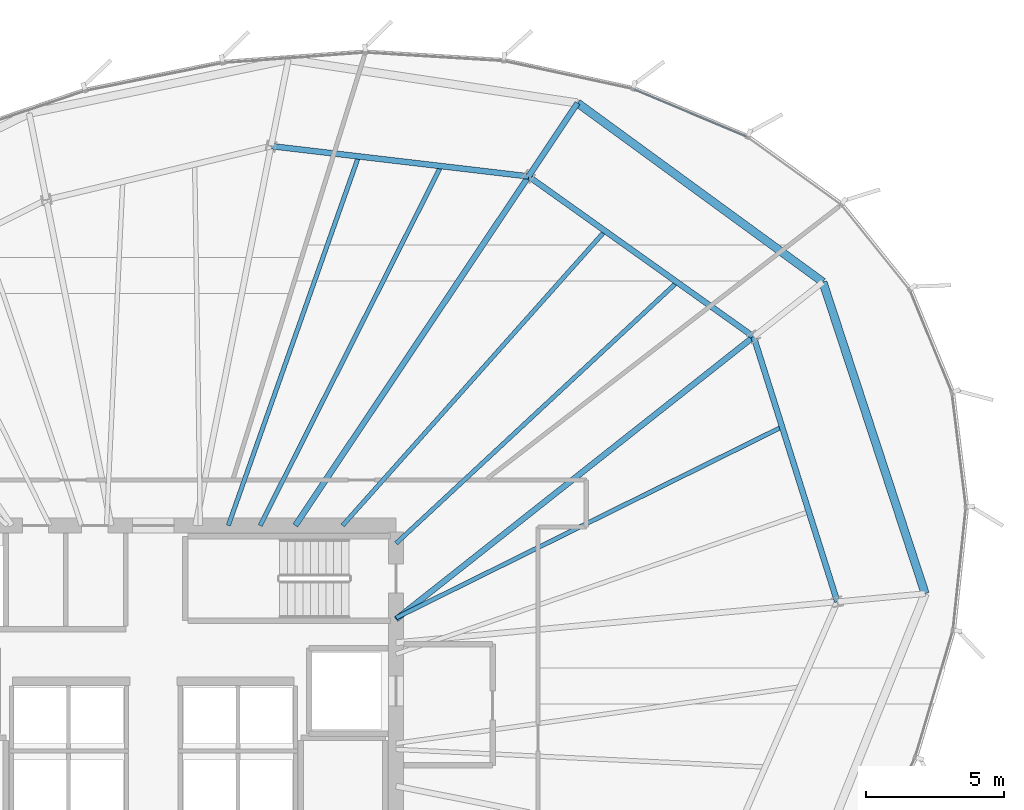
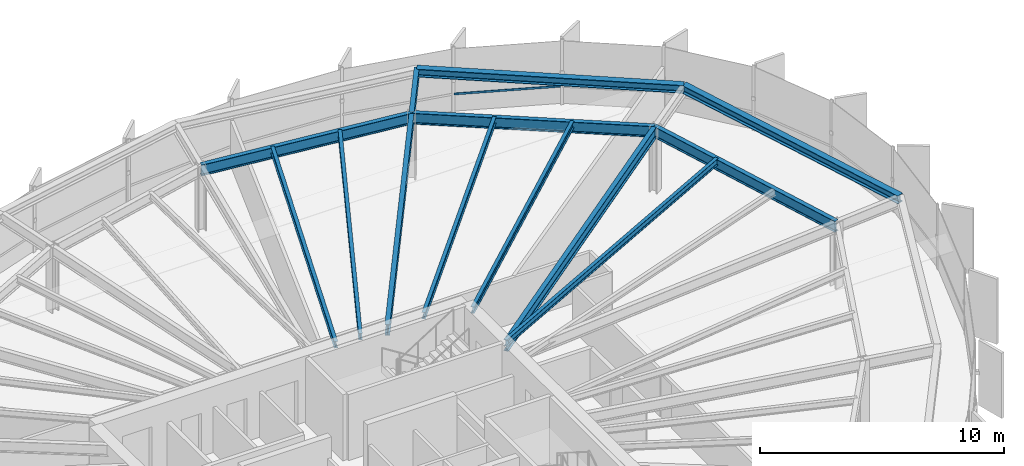
# One storey, part 22 of 32: 13 beams, 1 member, 1 element without a shape of its own.
"""IFC4 building model written with IfcOpenShell, lengths in metres."""

import ifcopenshell
import ifcopenshell.guid

model = None  # the IFC model being written
_history = None  # IfcOwnerHistory: only IFC2X3 demands one
_inside = {}  # id of a spatial element -> (the spatial element, [elements in it])
_under = {}  # id of a project, library or spatial element -> (it, [spatial elements below it])
_declared = {}  # id of a project -> (the project, [libraries it declares])
_typed = {}  # id of a type object -> (the type object, [elements of that type])
_made_of = {}  # id of a material, layer set ... -> (it, [elements and type objects made of it])


def new_model(schema):
    """Start an empty IFC model of exactly this schema.

    Asked for "IFC4X3", IfcOpenShell would pick the latest addendum, in which some entities
    have other attributes; the version numbers below select the first issue.
    IFC2X3 requires an IfcOwnerHistory on every rooted entity: one is made here for all.
    """
    global model, _history
    if schema == "IFC4X3":
        model = ifcopenshell.file(schema_version=(4, 3, 0, 0))
    else:
        model = ifcopenshell.file(schema=schema)
    _inside.clear()
    _under.clear()
    _declared.clear()
    _typed.clear()
    _made_of.clear()
    _history = None
    if model.schema == "IFC2X3":
        org = make("IfcOrganization", Name="unknown")
        user = make(
            "IfcPersonAndOrganization",
            ThePerson=make("IfcPerson", FamilyName="unknown"),
            TheOrganization=org,
        )
        app = make(
            "IfcApplication",
            ApplicationDeveloper=org,
            Version="unknown",
            ApplicationFullName="unknown",
            ApplicationIdentifier="unknown",
        )
        _history = make(
            "IfcOwnerHistory",
            OwningUser=user,
            OwningApplication=app,
            ChangeAction="ADDED",
            CreationDate=0,
        )
    return model


def make(cls, **values):
    """One entity of the class cls with the attributes given. An attribute that is None is left unset."""
    return model.create_entity(
        cls, **{name: value for name, value in values.items() if value is not None}
    )


def rooted(cls, **values):
    """An entity with a GlobalId (a new one), such as an element, a storey or a relation."""
    return make(cls, GlobalId=ifcopenshell.guid.new(), OwnerHistory=_history, **values)


def si_unit(unit_type, name, prefix=None):
    """IfcSIUnit, for example si_unit("LENGTHUNIT", "METRE", prefix="MILLI")."""
    return make("IfcSIUnit", UnitType=unit_type, Prefix=prefix, Name=name)


def assignment(units):
    """IfcUnitAssignment: the units of a project."""
    return None if units is None else make("IfcUnitAssignment", Units=units)


def point(xyz):
    """IfcCartesianPoint."""
    return None if xyz is None else make("IfcCartesianPoint", Coordinates=xyz)


def direction(xyz):
    """IfcDirection."""
    return None if xyz is None else make("IfcDirection", DirectionRatios=xyz)


def frame(location, z_axis=None, x_axis=None):
    """IfcAxis2Placement3D, a coordinate frame: its origin and axes. An axis left out is left unset."""
    return make(
        "IfcAxis2Placement3D",
        Location=point(location),
        Axis=direction(z_axis),
        RefDirection=direction(x_axis),
    )


def frame_2d(location, x_axis=None):
    """IfcAxis2Placement2D, a coordinate frame in the plane: its origin and x axis."""
    return make(
        "IfcAxis2Placement2D", Location=point(location), RefDirection=direction(x_axis)
    )


def origin():
    """The frame at (0, 0, 0) with its axes left unset."""
    return frame((0.0, 0.0, 0.0))


def origin_2d():
    """The frame at (0, 0) in the plane with its x axis left unset."""
    return frame_2d((0.0, 0.0))


def place(relative_to, where):
    """IfcLocalPlacement: puts the frame where relative to a parent placement (None: the world)."""
    return make(
        "IfcLocalPlacement", PlacementRelTo=relative_to, RelativePlacement=where
    )


def context(
    kind, dimensions, precision=None, world=None, true_north=None, identifier=None
):
    """IfcGeometricRepresentationContext, for example the 3D "Model" context."""
    return make(
        "IfcGeometricRepresentationContext",
        ContextIdentifier=identifier,
        ContextType=kind,
        CoordinateSpaceDimension=dimensions,
        Precision=precision,
        WorldCoordinateSystem=world,
        TrueNorth=true_north,
    )


def subcontext(parent, identifier, kind, view, scale=None):
    """IfcGeometricRepresentationSubContext, for example "Body" below "Model"."""
    return make(
        "IfcGeometricRepresentationSubContext",
        ContextIdentifier=identifier,
        ContextType=kind,
        ParentContext=parent,
        TargetScale=scale,
        TargetView=view,
    )


def project(units=None, contexts=None):
    """IfcProject with its units and contexts."""
    return rooted(
        "IfcProject",
        Name="project",
        RepresentationContexts=contexts,
        UnitsInContext=assignment(units),
    )


def spatial(cls, under=None, at=None, **own):
    """A site, building, storey or space (cls), placed at a placement, below another one or the project."""
    s = rooted(cls, ObjectPlacement=at, **own)
    if under is not None:
        _under.setdefault(under.id(), (under, []))[1].append(s)
    return s


def profile(cls, at=None, kind="AREA", **sizes):
    """A parametric profile (cls). Its sizes go by their IFC names, for example OverallWidth=200.0."""
    return make(cls, ProfileType=kind, Position=at, **sizes)


def hollow_rectangle(**sizes):
    """IfcRectangleHollowProfileDef."""
    return profile("IfcRectangleHollowProfileDef", **sizes)


def i_section(**sizes):
    """IfcIShapeProfileDef."""
    return profile("IfcIShapeProfileDef", **sizes)


def extrude(swept, where, along, depth):
    """IfcExtrudedAreaSolid: the profile swept, set in the frame where, extruded along a direction by depth."""
    return make(
        "IfcExtrudedAreaSolid",
        SweptArea=swept,
        Position=where,
        ExtrudedDirection=direction(along),
        Depth=depth,
    )


def shape(context_of_items, identifier, shape_type, items):
    """IfcShapeRepresentation: the items that make up one representation, for example the "Body"."""
    return make(
        "IfcShapeRepresentation",
        ContextOfItems=context_of_items,
        RepresentationIdentifier=identifier,
        RepresentationType=shape_type,
        Items=items,
    )


def source(mapping_origin, context_of_items, identifier, shape_type, items):
    """IfcRepresentationMap: a shape defined once, which mapped items show again and again."""
    return make(
        "IfcRepresentationMap",
        MappingOrigin=mapping_origin,
        MappedRepresentation=shape(context_of_items, identifier, shape_type, items),
    )


def transform(
    local_origin,
    x_axis=None,
    y_axis=None,
    z_axis=None,
    scale=None,
    scale2=None,
    scale3=None,
    uniform=True,
):
    """IfcCartesianTransformationOperator3D, or its non-uniform kind. x_axis, y_axis, z_axis: its Axis1, 2, 3."""
    if uniform:
        return make(
            "IfcCartesianTransformationOperator3D",
            Axis1=direction(x_axis),
            Axis2=direction(y_axis),
            LocalOrigin=point(local_origin),
            Scale=scale,
            Axis3=direction(z_axis),
        )
    return make(
        "IfcCartesianTransformationOperator3DnonUniform",
        Axis1=direction(x_axis),
        Axis2=direction(y_axis),
        LocalOrigin=point(local_origin),
        Scale=scale,
        Axis3=direction(z_axis),
        Scale2=scale2,
        Scale3=scale3,
    )


def mapped(mapping_source, mapping_target):
    """IfcMappedItem: shows the shape of a source again, moved by a transform."""
    return make(
        "IfcMappedItem", MappingSource=mapping_source, MappingTarget=mapping_target
    )


def material(Name=None, Category=None):
    """IfcMaterial."""
    return make("IfcMaterial", Name=Name, Category=Category)


def layer(
    of_material, thickness, ventilated=None, Name=None, Category=None, Priority=None
):
    """IfcMaterialLayer: one layer of a wall or slab, of a material (None: an air gap)."""
    return make(
        "IfcMaterialLayer",
        Material=of_material,
        LayerThickness=thickness,
        IsVentilated=ventilated,
        Name=Name,
        Category=Category,
        Priority=Priority,
    )


def layer_set(layers, Name=None):
    """IfcMaterialLayerSet."""
    return make("IfcMaterialLayerSet", MaterialLayers=layers, LayerSetName=Name)


def material_profile(
    of_material, cross_section, Name=None, Category=None, Priority=None
):
    """IfcMaterialProfile: a cross section and its material."""
    return make(
        "IfcMaterialProfile",
        Name=Name,
        Material=of_material,
        Profile=cross_section,
        Priority=Priority,
        Category=Category,
    )


def profile_set(profiles, Name=None, composite=None):
    """IfcMaterialProfileSet."""
    return make(
        "IfcMaterialProfileSet",
        Name=Name,
        MaterialProfiles=profiles,
        CompositeProfile=composite,
    )


def made_of(thing, what):
    """Note that an element or type object is made of a material, layer set ...; save() writes the relation."""
    if what is not None:
        _made_of.setdefault(what.id(), (what, []))[1].append(thing)
    return thing


def type_object(cls, material=None, **own):
    """A type object (cls), such as IfcWallType, which elements share."""
    return made_of(rooted(cls, **own), material)


def element(
    cls,
    number,
    at=None,
    inside=None,
    cuts=None,
    type_object=None,
    material=None,
    context=None,
    identifier="Body",
    shape_type=None,
    held_by="IfcProductDefinitionShape",
    body=None,
    shapes=None,
    **own,
):
    """One element of the class cls, such as IfcWall. Its Tag is "e" and its number.

    at: its placement. inside: the storey or other place that contains it. cuts: it is an
    opening in that element (IfcRelVoidsElement). A single representation is given by context,
    identifier, shape_type and body (its items); several are given by shapes. held_by: the class
    of the entity that holds the representations. save() writes the other relations.
    """
    e = rooted(cls, Tag="e%d" % number, ObjectPlacement=at, **own)
    if body is not None:
        shapes = [shape(context, identifier, shape_type, body)]
    if shapes is not None:
        e.Representation = make(held_by, Representations=shapes)
    if inside is not None:
        _inside.setdefault(inside.id(), (inside, []))[1].append(e)
    if cuts is not None:
        rooted(
            "IfcRelVoidsElement", RelatingBuildingElement=cuts, RelatedOpeningElement=e
        )
    if type_object is not None:
        _typed.setdefault(type_object.id(), (type_object, []))[1].append(e)
    return made_of(e, material)


def aggregate(whole, parts):
    """IfcRelAggregates: a whole, such as a stair, and the parts it consists of."""
    return rooted("IfcRelAggregates", RelatingObject=whole, RelatedObjects=parts)


def save(model, path):
    """Write the relations noted so far, then the file.

    IfcRelAggregates (storeys below a building ...), IfcRelContainedInSpatialStructure (elements
    in a storey), IfcRelDefinesByType, IfcRelAssociatesMaterial and IfcRelDeclares: one each for
    every whole, place, type object, material and project.
    """
    for whole, parts in _under.values():
        aggregate(whole, parts)
    for where, things in _inside.values():
        rooted(
            "IfcRelContainedInSpatialStructure",
            RelatedElements=things,
            RelatingStructure=where,
        )
    for kind, things in _typed.values():
        rooted("IfcRelDefinesByType", RelatedObjects=things, RelatingType=kind)
    for what, things in _made_of.values():
        rooted("IfcRelAssociatesMaterial", RelatedObjects=things, RelatingMaterial=what)
    for by, libraries in _declared.values():
        rooted("IfcRelDeclares", RelatingContext=by, RelatedDefinitions=libraries)
    model.write(path)


model = new_model("IFC4")

# Units and contexts
model_context = context("Model", 3, precision=1e-05, world=origin(), true_north=direction((0.0, 1.0)))
body_context = subcontext(model_context, "Body", "Model", "MODEL_VIEW")
ifc_project = project(units=[si_unit("LENGTHUNIT", "METRE"), si_unit("AREAUNIT", "SQUARE_METRE"), si_unit("VOLUMEUNIT", "CUBIC_METRE"), si_unit("PLANEANGLEUNIT", "RADIAN"), si_unit("MASSUNIT", "GRAM", prefix="KILO"), si_unit("THERMODYNAMICTEMPERATUREUNIT", "KELVIN")], contexts=[model_context])

# Site, building, storey
site_placement = place(None, origin())
site = spatial("IfcSite", under=ifc_project, at=site_placement, CompositionType="ELEMENT")
building_placement = place(site_placement, origin())
building = spatial("IfcBuilding", under=site, at=building_placement, Name="Kethvar Cultural Tower", CompositionType="ELEMENT")
storey_placement = place(building_placement, frame((0.0, 0.0, 157.199951171875)))
storey = spatial("IfcBuildingStorey", under=building, at=storey_placement, Name="L40", CompositionType="ELEMENT", Elevation=157.199951171875)

# Beams
ifc_material_1 = material(Name="Steel S355J2", Category="steel")
ifc_material_profile_1 = material_profile(ifc_material_1, i_section(OverallWidth=0.2099609375, OverallDepth=0.550048828125, WebThickness=0.010986328125, FlangeThickness=0.01708984375, FilletRadius=0.02392578125, at=origin_2d()), Name="Steel S355J2 — IPE550")
ifc_profile_set_1 = profile_set([ifc_material_profile_1], Name="Steel S355J2 — IPE550")
beam_type_1 = type_object("IfcBeamType", Name="BM-IPE550", PredefinedType="BEAM", material=ifc_profile_set_1)
shared_shape_1 = source(origin(), body_context, "Body", "SweptSolid", [
    extrude(i_section(OverallWidth=0.2099609375, OverallDepth=0.550048828125, WebThickness=0.010986328125, FlangeThickness=0.01708984375, FilletRadius=0.02392578125, at=origin_2d()), origin(), (0.0, 0.0, 1.0), 3.199951171875),
])
beam_1_placement = place(storey_placement, frame((60.40478515625, 48.160888671875, 3.02294921875), z_axis=(0.555580212716, 0.831462943996, 0.0), x_axis=(-0.831462943996, 0.555580212716, 0.0)))
element("IfcBeam", 1, at=beam_1_placement, inside=storey, type_object=beam_type_1, Name="L40 Perimeter Cantilever Beam RC-03", PredefinedType="BEAM", context=body_context, shape_type="MappedRepresentation", body=[
    mapped(shared_shape_1, transform((0.0, 0.0, 0.0), scale=1.0)),
])
shared_shape_2 = source(origin(), body_context, "Body", "SweptSolid", [
    extrude(i_section(OverallWidth=0.2099609375, OverallDepth=0.550048828125, WebThickness=0.010986328125, FlangeThickness=0.01708984375, FilletRadius=0.02392578125, at=origin_2d()), origin(), (0.0, 0.0, 1.0), 16.527099609375),
])
beam_2_placement = place(storey_placement, frame((55.60009765625, 32.10009765625, 3.02294921875), z_axis=(0.784681939021, 0.619898584105, 0.0), x_axis=(-0.619898584105, 0.784681939021, 0.0)))
element("IfcBeam", 2, at=beam_2_placement, inside=storey, type_object=beam_type_1, Name="L40 Primary Radial Beam RB-02", PredefinedType="BEAM", context=body_context, shape_type="MappedRepresentation", body=[
    mapped(shared_shape_2, transform((0.0, 0.0, 0.0), scale=1.0)),
])
shared_shape_3 = source(origin(), body_context, "Body", "SweptSolid", [
    extrude(i_section(OverallWidth=0.2099609375, OverallDepth=0.550048828125, WebThickness=0.010986328125, FlangeThickness=0.01708984375, FilletRadius=0.02392578125, at=origin_2d()), origin(), (0.0, 0.0, 1.0), 15.22705078125),
])
beam_3_placement = place(storey_placement, frame((51.945068359375, 35.5, 3.02294921875), z_axis=(0.555569390778, 0.83147017507, 0.0), x_axis=(-0.83147017507, 0.555569390778, 0.0)))
element("IfcBeam", 3, at=beam_3_placement, inside=storey, type_object=beam_type_1, Name="L40 Primary Radial Beam RB-03", PredefinedType="BEAM", context=body_context, shape_type="MappedRepresentation", body=[
    mapped(shared_shape_3, transform((0.0, 0.0, 0.0), scale=1.0)),
])
shared_shape_4 = source(origin(), body_context, "Body", "SweptSolid", [
    extrude(i_section(OverallWidth=0.2099609375, OverallDepth=0.550048828125, WebThickness=0.010986328125, FlangeThickness=0.01708984375, FilletRadius=0.02392578125, at=origin_2d()), origin(), (0.0, 0.0, 1.0), 10.079345703125),
])
beam_4_placement = place(storey_placement, frame((71.6025390625, 32.7333984375, 3.02294921875), z_axis=(-0.301007326566, 0.953621827222, 0.0), x_axis=(-0.953621827222, -0.301007326566, 0.0)))
element("IfcBeam", 4, at=beam_4_placement, inside=storey, type_object=beam_type_1, Name="L40 Column Ring Tie Beam CR-01", PredefinedType="BEAM", context=body_context, shape_type="MappedRepresentation", body=[
    mapped(shared_shape_4, transform((0.0, 0.0, 0.0), scale=1.0)),
])
ifc_material_profile_2 = material_profile(ifc_material_1, i_section(OverallWidth=0.300048828125, OverallDepth=0.39990234375, WebThickness=0.013427734375, FlangeThickness=0.02392578125, FilletRadius=0.027099609375, at=origin_2d()), Name="Steel S355J2 — HEB400")
ifc_profile_set_2 = profile_set([ifc_material_profile_2], Name="Steel S355J2 — HEB400")
beam_type_2 = type_object("IfcBeamType", Name="BM-SP400", PredefinedType="SPANDREL", material=ifc_profile_set_2)
shared_shape_5 = source(origin(), body_context, "Body", "SweptSolid", [
    extrude(i_section(OverallWidth=0.300048828125, OverallDepth=0.39990234375, WebThickness=0.013427734375, FlangeThickness=0.02392578125, FilletRadius=0.027099609375, at=origin_2d()), origin(), (0.0, 0.0, 1.0), 11.8935546875),
])
beam_5_placement = place(storey_placement, frame((74.788818359375, 33.02880859375, 3.09814453125), z_axis=(-0.311870604739, 0.95012458441, 0.0), x_axis=(-0.95012458441, -0.311870604739, 0.0)))
element("IfcBeam", 5, at=beam_5_placement, inside=storey, type_object=beam_type_2, Name="L40 Perimeter Spandrel Beam SP-01", PredefinedType="SPANDREL", context=body_context, shape_type="MappedRepresentation", body=[
    mapped(shared_shape_5, transform((0.0, 0.0, 0.0), scale=1.0)),
])
ifc_material_profile_3 = material_profile(ifc_material_1, i_section(OverallWidth=0.159912109375, OverallDepth=0.330078125, WebThickness=0.007568359375, FlangeThickness=0.011474609375, FilletRadius=0.01806640625, at=origin_2d()), Name="Steel S355J2 — IPE330")
ifc_profile_set_3 = profile_set([ifc_material_profile_3], Name="Steel S355J2 — IPE330")
beam_type_3 = type_object("IfcBeamType", Name="BM-J330", PredefinedType="JOIST", material=ifc_profile_set_3)
shared_shape_6 = source(origin(), body_context, "Body", "SweptSolid", [
    extrude(i_section(OverallWidth=0.159912109375, OverallDepth=0.330078125, WebThickness=0.007568359375, FlangeThickness=0.011474609375, FilletRadius=0.01806640625, at=origin_2d()), origin(), (0.0, 0.0, 1.0), 15.618896484375),
])
beam_6_placement = place(storey_placement, frame((55.60009765625, 32.152587890625, 3.133056640625), z_axis=(0.896344638992, 0.443357968408, 0.0), x_axis=(-0.443357968408, 0.896344638992, 0.0)))
element("IfcBeam", 6, at=beam_6_placement, inside=storey, type_object=beam_type_3, Name="L40 Composite Floor Joist J-01B", PredefinedType="JOIST", context=body_context, shape_type="MappedRepresentation", body=[
    mapped(shared_shape_6, transform((0.0, 0.0, 0.0), scale=1.0)),
])
shared_shape_7 = source(origin(), body_context, "Body", "SweptSolid", [
    extrude(i_section(OverallWidth=0.2099609375, OverallDepth=0.550048828125, WebThickness=0.010986328125, FlangeThickness=0.01708984375, FilletRadius=0.02392578125, at=origin_2d()), origin(), (0.0, 0.0, 1.0), 10.0234375),
])
beam_7_placement = place(storey_placement, frame((68.568603515625, 42.34521484375, 3.02294921875), z_axis=(-0.814470106239, 0.580205520521, 0.0), x_axis=(-0.580205520521, -0.814470106239, 0.0)))
element("IfcBeam", 7, at=beam_7_placement, inside=storey, type_object=beam_type_1, Name="L40 Column Ring Tie Beam CR-02", PredefinedType="BEAM", context=body_context, shape_type="MappedRepresentation", body=[
    mapped(shared_shape_7, transform((0.0, 0.0, 0.0), scale=1.0)),
])
shared_shape_8 = source(origin(), body_context, "Body", "SweptSolid", [
    extrude(i_section(OverallWidth=0.159912109375, OverallDepth=0.330078125, WebThickness=0.007568359375, FlangeThickness=0.011474609375, FilletRadius=0.01806640625, at=origin_2d()), origin(), (0.0, 0.0, 1.0), 13.91455078125),
])
beam_8_placement = place(storey_placement, frame((55.60009765625, 34.85009765625, 3.133056640625), z_axis=(0.732512843328, 0.680753211054, 0.0), x_axis=(-0.680753211054, 0.732512843328, 0.0)))
element("IfcBeam", 8, at=beam_8_placement, inside=storey, type_object=beam_type_3, Name="L40 Composite Floor Joist J-02A", PredefinedType="JOIST", context=body_context, shape_type="MappedRepresentation", body=[
    mapped(shared_shape_8, transform((0.0, 0.0, 0.0), scale=1.0)),
])
shared_shape_9 = source(origin(), body_context, "Body", "SweptSolid", [
    extrude(i_section(OverallWidth=0.159912109375, OverallDepth=0.330078125, WebThickness=0.007568359375, FlangeThickness=0.011474609375, FilletRadius=0.01806640625, at=origin_2d()), origin(), (0.0, 0.0, 1.0), 14.3095703125),
])
beam_9_placement = place(storey_placement, frame((53.660888671875, 35.5, 3.133056640625), z_axis=(0.665261381663, 0.746610537073, 0.0), x_axis=(-0.746610537073, 0.665261381663, 0.0)))
element("IfcBeam", 9, at=beam_9_placement, inside=storey, type_object=beam_type_3, Name="L40 Composite Floor Joist J-02B", PredefinedType="JOIST", context=body_context, shape_type="MappedRepresentation", body=[
    mapped(shared_shape_9, transform((0.0, 0.0, 0.0), scale=1.0)),
])
shared_shape_10 = source(origin(), body_context, "Body", "SweptSolid", [
    extrude(i_section(OverallWidth=0.2099609375, OverallDepth=0.550048828125, WebThickness=0.010986328125, FlangeThickness=0.01708984375, FilletRadius=0.02392578125, at=origin_2d()), origin(), (0.0, 0.0, 1.0), 9.400634765625),
])
beam_10_placement = place(storey_placement, frame((60.40478515625, 48.160888671875, 3.02294921875), z_axis=(-0.993150427046, 0.116842754407, 0.0), x_axis=(-0.116842754407, -0.993150427046, 0.0)))
element("IfcBeam", 10, at=beam_10_placement, inside=storey, type_object=beam_type_1, Name="L40 Column Ring Tie Beam CR-03", PredefinedType="BEAM", context=body_context, shape_type="MappedRepresentation", body=[
    mapped(shared_shape_10, transform((0.0, 0.0, 0.0), scale=1.0)),
])
shared_shape_11 = source(origin(), body_context, "Body", "SweptSolid", [
    extrude(i_section(OverallWidth=0.159912109375, OverallDepth=0.330078125, WebThickness=0.007568359375, FlangeThickness=0.011474609375, FilletRadius=0.01806640625, at=origin_2d()), origin(), (0.0, 0.0, 1.0), 14.590576171875),
])
beam_11_placement = place(storey_placement, frame((50.673583984375, 35.5, 3.133056640625), z_axis=(0.449394228778, 0.893333547529, 0.0), x_axis=(-0.893333547529, 0.449394228778, 0.0)))
element("IfcBeam", 11, at=beam_11_placement, inside=storey, type_object=beam_type_3, Name="L40 Composite Floor Joist J-03A", PredefinedType="JOIST", context=body_context, shape_type="MappedRepresentation", body=[
    mapped(shared_shape_11, transform((0.0, 0.0, 0.0), scale=1.0)),
])
shared_shape_12 = source(origin(), body_context, "Body", "SweptSolid", [
    extrude(i_section(OverallWidth=0.159912109375, OverallDepth=0.330078125, WebThickness=0.007568359375, FlangeThickness=0.011474609375, FilletRadius=0.01806640625, at=origin_2d()), origin(), (0.0, 0.0, 1.0), 14.1953125),
])
beam_12_placement = place(storey_placement, frame((49.517822265625, 35.5, 3.133056640625), z_axis=(0.332865098769, 0.942974456717, 0.0), x_axis=(-0.942974456717, 0.332865098769, 0.0)))
element("IfcBeam", 12, at=beam_12_placement, inside=storey, type_object=beam_type_3, Name="L40 Composite Floor Joist J-03B", PredefinedType="JOIST", context=body_context, shape_type="MappedRepresentation", body=[
    mapped(shared_shape_12, transform((0.0, 0.0, 0.0), scale=1.0)),
])
shared_shape_13 = source(origin(), body_context, "Body", "SweptSolid", [
    extrude(i_section(OverallWidth=0.300048828125, OverallDepth=0.39990234375, WebThickness=0.013427734375, FlangeThickness=0.02392578125, FilletRadius=0.027099609375, at=origin_2d()), origin(), (0.0, 0.0, 1.0), 11.013916015625),
])
beam_13_placement = place(storey_placement, frame((71.07958984375, 44.3291015625, 3.09814453125), z_axis=(-0.807788950974, 0.589471806522, 0.0), x_axis=(-0.589471806522, -0.807788950974, 0.0)))
element("IfcBeam", 13, at=beam_13_placement, inside=storey, type_object=beam_type_2, Name="L40 Perimeter Spandrel Beam SP-02", PredefinedType="SPANDREL", context=body_context, shape_type="MappedRepresentation", body=[
    mapped(shared_shape_13, transform((0.0, 0.0, 0.0), scale=1.0)),
])

# Curtain wall, member
ifc_material_2 = material(Name="Aluminium 6063-T6", Category="aluminium")
ifc_layer = layer(ifc_material_2, 0.179931640625, Name="Aluminium 6063-T6", Category="aluminium")
ifc_layer_set = layer_set([ifc_layer], Name="Aluminium 6063-T6 (180 mm)")
curtain_wall_type = type_object("IfcCurtainWallType", Name="CW-SYS-04-Z34", PredefinedType="NOTDEFINED", material=ifc_layer_set)
curtain_wall_placement = place(storey_placement, origin())
curtain_wall = element("IfcCurtainWall", 14, at=curtain_wall_placement, inside=storey, type_object=curtain_wall_type, Name="L40 Curtain Wall Run 01", PredefinedType="NOTDEFINED")
ifc_material_profile_4 = material_profile(ifc_material_2, hollow_rectangle(XDim=0.050048828125, YDim=0.10009765625, WallThickness=0.00390625, at=origin_2d()), Name="Aluminium 6063-T6 — RHS100x50x4")
ifc_profile_set_4 = profile_set([ifc_material_profile_4], Name="Aluminium 6063-T6 — RHS100x50x4")
member_type = type_object("IfcMemberType", Name="CW-SYS-04-Z34-TRN", PredefinedType="USERDEFINED", material=ifc_profile_set_4)
shared_shape_14 = source(origin(), body_context, "Body", "SweptSolid", [
    extrude(hollow_rectangle(XDim=0.050048828125, YDim=0.10009765625, WallThickness=0.00390625, at=origin_2d()), origin(), (0.0, 0.0, 1.0), 4.429931640625),
])
member_placement = place(storey_placement, frame((68.30810546875, 49.600830078125, 0.949951171875), z_axis=(-0.922013584076, 0.387157527085, 0.0), x_axis=(-0.387157527085, -0.922013584076, 0.0)))
member = element("IfcMember", 15, at=member_placement, type_object=member_type, Name="CW-L40-R01 Transom 3", ObjectType="TRANSOM", PredefinedType="USERDEFINED", context=body_context, shape_type="MappedRepresentation", body=[
    mapped(shared_shape_14, transform((0.0, 0.0, 0.0), scale=1.0)),
])
aggregate(curtain_wall, [member])

save(model, "model.ifc")
